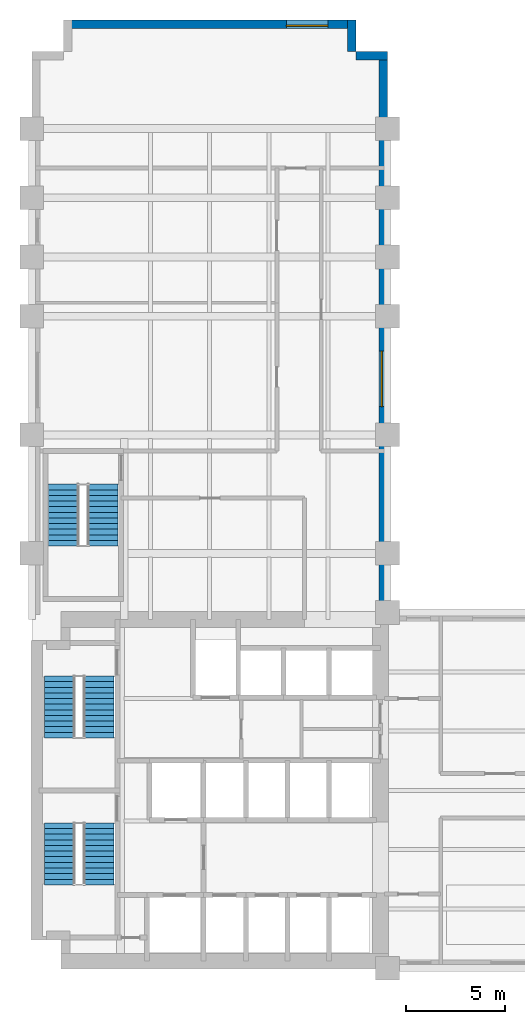
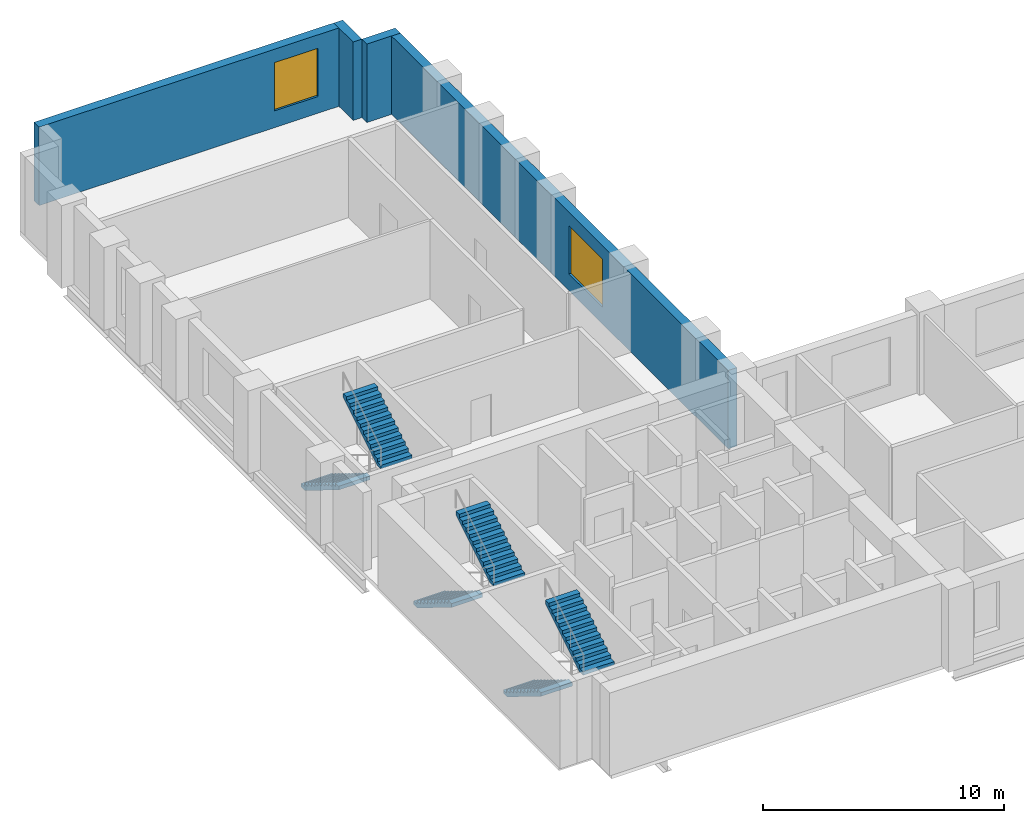
# One storey, part 6 of 7: 6 stair flights, 4 walls, 2 windows, 2 openings, 3 elements without a shape of their own.
"""IFC4 building model written with IfcOpenShell, lengths in metres."""

import ifcopenshell
import ifcopenshell.guid

model = None  # the IFC model being written
_history = None  # IfcOwnerHistory: only IFC2X3 demands one
_inside = {}  # id of a spatial element -> (the spatial element, [elements in it])
_under = {}  # id of a project, library or spatial element -> (it, [spatial elements below it])
_declared = {}  # id of a project -> (the project, [libraries it declares])
_typed = {}  # id of a type object -> (the type object, [elements of that type])
_made_of = {}  # id of a material, layer set ... -> (it, [elements and type objects made of it])


def new_model(schema):
    """Start an empty IFC model of exactly this schema.

    Asked for "IFC4X3", IfcOpenShell would pick the latest addendum, in which some entities
    have other attributes; the version numbers below select the first issue.
    IFC2X3 requires an IfcOwnerHistory on every rooted entity: one is made here for all.
    """
    global model, _history
    if schema == "IFC4X3":
        model = ifcopenshell.file(schema_version=(4, 3, 0, 0))
    else:
        model = ifcopenshell.file(schema=schema)
    _inside.clear()
    _under.clear()
    _declared.clear()
    _typed.clear()
    _made_of.clear()
    _history = None
    if model.schema == "IFC2X3":
        org = make("IfcOrganization", Name="unknown")
        user = make(
            "IfcPersonAndOrganization",
            ThePerson=make("IfcPerson", FamilyName="unknown"),
            TheOrganization=org,
        )
        app = make(
            "IfcApplication",
            ApplicationDeveloper=org,
            Version="unknown",
            ApplicationFullName="unknown",
            ApplicationIdentifier="unknown",
        )
        _history = make(
            "IfcOwnerHistory",
            OwningUser=user,
            OwningApplication=app,
            ChangeAction="ADDED",
            CreationDate=0,
        )
    return model


def make(cls, **values):
    """One entity of the class cls with the attributes given. An attribute that is None is left unset."""
    return model.create_entity(
        cls, **{name: value for name, value in values.items() if value is not None}
    )


def rooted(cls, **values):
    """An entity with a GlobalId (a new one), such as an element, a storey or a relation."""
    return make(cls, GlobalId=ifcopenshell.guid.new(), OwnerHistory=_history, **values)


def si_unit(unit_type, name, prefix=None):
    """IfcSIUnit, for example si_unit("LENGTHUNIT", "METRE", prefix="MILLI")."""
    return make("IfcSIUnit", UnitType=unit_type, Prefix=prefix, Name=name)


def assignment(units):
    """IfcUnitAssignment: the units of a project."""
    return None if units is None else make("IfcUnitAssignment", Units=units)


def point(xyz):
    """IfcCartesianPoint."""
    return None if xyz is None else make("IfcCartesianPoint", Coordinates=xyz)


def direction(xyz):
    """IfcDirection."""
    return None if xyz is None else make("IfcDirection", DirectionRatios=xyz)


def frame(location, z_axis=None, x_axis=None):
    """IfcAxis2Placement3D, a coordinate frame: its origin and axes. An axis left out is left unset."""
    return make(
        "IfcAxis2Placement3D",
        Location=point(location),
        Axis=direction(z_axis),
        RefDirection=direction(x_axis),
    )


def frame_2d(location, x_axis=None):
    """IfcAxis2Placement2D, a coordinate frame in the plane: its origin and x axis."""
    return make(
        "IfcAxis2Placement2D", Location=point(location), RefDirection=direction(x_axis)
    )


def origin():
    """The frame at (0, 0, 0) with its axes left unset."""
    return frame((0.0, 0.0, 0.0))


def place(relative_to, where):
    """IfcLocalPlacement: puts the frame where relative to a parent placement (None: the world)."""
    return make(
        "IfcLocalPlacement", PlacementRelTo=relative_to, RelativePlacement=where
    )


def context(
    kind, dimensions, precision=None, world=None, true_north=None, identifier=None
):
    """IfcGeometricRepresentationContext, for example the 3D "Model" context."""
    return make(
        "IfcGeometricRepresentationContext",
        ContextIdentifier=identifier,
        ContextType=kind,
        CoordinateSpaceDimension=dimensions,
        Precision=precision,
        WorldCoordinateSystem=world,
        TrueNorth=true_north,
    )


def subcontext(parent, identifier, kind, view, scale=None):
    """IfcGeometricRepresentationSubContext, for example "Body" below "Model"."""
    return make(
        "IfcGeometricRepresentationSubContext",
        ContextIdentifier=identifier,
        ContextType=kind,
        ParentContext=parent,
        TargetScale=scale,
        TargetView=view,
    )


def project(units=None, contexts=None):
    """IfcProject with its units and contexts."""
    return rooted(
        "IfcProject",
        Name="project",
        RepresentationContexts=contexts,
        UnitsInContext=assignment(units),
    )


def spatial(cls, under=None, at=None, **own):
    """A site, building, storey or space (cls), placed at a placement, below another one or the project."""
    s = rooted(cls, ObjectPlacement=at, **own)
    if under is not None:
        _under.setdefault(under.id(), (under, []))[1].append(s)
    return s


def polyline(points):
    """IfcPolyline through the points."""
    return make("IfcPolyline", Points=[point(p) for p in points])


def profile(cls, at=None, kind="AREA", **sizes):
    """A parametric profile (cls). Its sizes go by their IFC names, for example OverallWidth=200.0."""
    return make(cls, ProfileType=kind, Position=at, **sizes)


def rectangle(**sizes):
    """IfcRectangleProfileDef."""
    return profile("IfcRectangleProfileDef", **sizes)


def outline(outer, holes=None, kind="AREA"):
    """IfcArbitraryClosedProfileDef: a profile drawn as a closed curve; with holes, ...WithVoids."""
    if holes is None:
        return make("IfcArbitraryClosedProfileDef", ProfileType=kind, OuterCurve=outer)
    return make(
        "IfcArbitraryProfileDefWithVoids",
        ProfileType=kind,
        OuterCurve=outer,
        InnerCurves=holes,
    )


def extrude(swept, where, along, depth):
    """IfcExtrudedAreaSolid: the profile swept, set in the frame where, extruded along a direction by depth."""
    return make(
        "IfcExtrudedAreaSolid",
        SweptArea=swept,
        Position=where,
        ExtrudedDirection=direction(along),
        Depth=depth,
    )


def shape(context_of_items, identifier, shape_type, items):
    """IfcShapeRepresentation: the items that make up one representation, for example the "Body"."""
    return make(
        "IfcShapeRepresentation",
        ContextOfItems=context_of_items,
        RepresentationIdentifier=identifier,
        RepresentationType=shape_type,
        Items=items,
    )


def material(Name=None, Category=None):
    """IfcMaterial."""
    return make("IfcMaterial", Name=Name, Category=Category)


def layer(
    of_material, thickness, ventilated=None, Name=None, Category=None, Priority=None
):
    """IfcMaterialLayer: one layer of a wall or slab, of a material (None: an air gap)."""
    return make(
        "IfcMaterialLayer",
        Material=of_material,
        LayerThickness=thickness,
        IsVentilated=ventilated,
        Name=Name,
        Category=Category,
        Priority=Priority,
    )


def layer_set(layers, Name=None):
    """IfcMaterialLayerSet."""
    return make("IfcMaterialLayerSet", MaterialLayers=layers, LayerSetName=Name)


def made_of(thing, what):
    """Note that an element or type object is made of a material, layer set ...; save() writes the relation."""
    if what is not None:
        _made_of.setdefault(what.id(), (what, []))[1].append(thing)
    return thing


def type_object(cls, material=None, **own):
    """A type object (cls), such as IfcWallType, which elements share."""
    return made_of(rooted(cls, **own), material)


def element(
    cls,
    number,
    at=None,
    inside=None,
    cuts=None,
    type_object=None,
    material=None,
    context=None,
    identifier="Body",
    shape_type=None,
    held_by="IfcProductDefinitionShape",
    body=None,
    shapes=None,
    **own,
):
    """One element of the class cls, such as IfcWall. Its Tag is "e" and its number.

    at: its placement. inside: the storey or other place that contains it. cuts: it is an
    opening in that element (IfcRelVoidsElement). A single representation is given by context,
    identifier, shape_type and body (its items); several are given by shapes. held_by: the class
    of the entity that holds the representations. save() writes the other relations.
    """
    e = rooted(cls, Tag="e%d" % number, ObjectPlacement=at, **own)
    if body is not None:
        shapes = [shape(context, identifier, shape_type, body)]
    if shapes is not None:
        e.Representation = make(held_by, Representations=shapes)
    if inside is not None:
        _inside.setdefault(inside.id(), (inside, []))[1].append(e)
    if cuts is not None:
        rooted(
            "IfcRelVoidsElement", RelatingBuildingElement=cuts, RelatedOpeningElement=e
        )
    if type_object is not None:
        _typed.setdefault(type_object.id(), (type_object, []))[1].append(e)
    return made_of(e, material)


def fill(opening, filler):
    """IfcRelFillsElement: the door or window that sits in an opening."""
    return rooted(
        "IfcRelFillsElement",
        RelatingOpeningElement=opening,
        RelatedBuildingElement=filler,
    )


def aggregate(whole, parts):
    """IfcRelAggregates: a whole, such as a stair, and the parts it consists of."""
    return rooted("IfcRelAggregates", RelatingObject=whole, RelatedObjects=parts)


def save(model, path):
    """Write the relations noted so far, then the file.

    IfcRelAggregates (storeys below a building ...), IfcRelContainedInSpatialStructure (elements
    in a storey), IfcRelDefinesByType, IfcRelAssociatesMaterial and IfcRelDeclares: one each for
    every whole, place, type object, material and project.
    """
    for whole, parts in _under.values():
        aggregate(whole, parts)
    for where, things in _inside.values():
        rooted(
            "IfcRelContainedInSpatialStructure",
            RelatedElements=things,
            RelatingStructure=where,
        )
    for kind, things in _typed.values():
        rooted("IfcRelDefinesByType", RelatedObjects=things, RelatingType=kind)
    for what, things in _made_of.values():
        rooted("IfcRelAssociatesMaterial", RelatedObjects=things, RelatingMaterial=what)
    for by, libraries in _declared.values():
        rooted("IfcRelDeclares", RelatingContext=by, RelatedDefinitions=libraries)
    model.write(path)


model = new_model("IFC4")

# Units and contexts
model_context = context("Model", 3, precision=1e-05, world=origin(), true_north=direction((0.0, 1.0)))
body_context = subcontext(model_context, "Body", "Model", "MODEL_VIEW")
ifc_project = project(units=[si_unit("LENGTHUNIT", "METRE"), si_unit("AREAUNIT", "SQUARE_METRE"), si_unit("VOLUMEUNIT", "CUBIC_METRE"), si_unit("PLANEANGLEUNIT", "RADIAN"), si_unit("MASSUNIT", "GRAM", prefix="KILO")], contexts=[model_context])

# Site, building, storey
site_placement = place(None, origin())
site = spatial("IfcSite", under=ifc_project, at=site_placement, CompositionType="ELEMENT")
building_placement = place(site_placement, origin())
building = spatial("IfcBuilding", under=site, at=building_placement, Name="Mawjdan Bourse Tower", CompositionType="ELEMENT")
storey_placement = place(building_placement, frame((0.0, 0.0, 55.199951171875)))
storey = spatial("IfcBuildingStorey", under=building, at=storey_placement, Name="L12", CompositionType="ELEMENT", Elevation=55.199951171875)

# Wall, opening, window
ifc_material_1 = material(Name="Brick Masonry Buff", Category="masonry")
ifc_layer = layer(ifc_material_1, 0.419921875)
ifc_layer_set = layer_set([ifc_layer], Name="Brick Masonry Buff")
wall_type = type_object("IfcWallType", Name="WL-BRK-BUFF-420", PredefinedType="STANDARD", material=ifc_layer_set)
wall_1_placement = place(storey_placement, frame((23.7900390625, 21.0, 0.0), z_axis=(0.0, 0.0, 1.0), x_axis=(0.0, 1.0, 0.0)))
wall_1 = element("IfcWall", 1, at=wall_1_placement, inside=storey, type_object=wall_type, Name="L12 Exterior Brick Wall 8", PredefinedType="STANDARD", context=body_context, shape_type="SweptSolid", body=[
    extrude(rectangle(XDim=28.39990234375, YDim=0.419921875, at=frame_2d((14.199951171875, 0.0))), origin(), (0.0, 0.0, 1.0), 3.97998046875),
])
opening_1_placement = place(wall_1_placement, frame((10.433349609375, 0.0, 0.85009765625)))
opening_1 = element("IfcOpeningElement", 2, at=opening_1_placement, cuts=wall_1, Name="Opening W-L12-04", PredefinedType="OPENING", context=body_context, shape_type="SweptSolid", body=[
    extrude(rectangle(XDim=2.800048828125, YDim=2.449951171875, at=frame_2d((1.39990234375, 1.22509765625))), frame((0.0, 0.219970703125, 0.0), z_axis=(0.0, -1.0, 0.0), x_axis=(1.0, 0.0, 0.0)), (0.0, 0.0, 1.0), 0.43994140625),
])
ifc_material_2 = material(Name="Solar-Control Clear Double Glazing", Category="glass")
window_type_1 = type_object("IfcWindowType", Name="WN-TRD-2800", PartitioningType="SINGLE_PANEL", PredefinedType="WINDOW", material=ifc_material_2)
window_1_placement = place(opening_1_placement, origin())
window_1 = element("IfcWindow", 3, at=window_1_placement, inside=storey, type_object=window_type_1, Name="L12 Deep-Set Masonry Window W-L12-04", OverallHeight=2.449951171875, OverallWidth=2.800048828125, PartitioningType="SINGLE_PANEL", PredefinedType="WINDOW", context=body_context, shape_type="SweptSolid", body=[
    extrude(rectangle(XDim=2.800048828125, YDim=2.449951171875, at=frame_2d((1.39990234375, 1.22509765625))), frame((0.0, 0.110107421875, 0.0), z_axis=(0.0, -1.0, 0.0), x_axis=(1.0, 0.0, 0.0)), (0.0, 0.0, 1.0), 0.06005859375),
])
fill(opening_1, window_1)

# Walls
for number, where, z_axis, x_axis, name in (
    (4, (24.0, 49.18994140625, 0.0), (0.0, 0.0, 1.0), (-1.0, 0.0, 0.0), "L12 Exterior Brick Wall 9"),
    (5, (22.18994140625, 49.39990234375, 0.0), (0.0, 0.0, 1.0), (0.0, 1.0, 0.0), "L12 Exterior Brick Wall 10"),
):
    element("IfcWall", number, at=place(storey_placement, frame(where, z_axis=z_axis, x_axis=x_axis)), inside=storey, type_object=wall_type, Name=name, PredefinedType="STANDARD", context=body_context, shape_type="SweptSolid", body=[
        extrude(rectangle(XDim=1.60009765625, YDim=0.419921875, at=frame_2d((0.800048828125, 0.0))), origin(), (0.0, 0.0, 1.0), 3.97998046875),
    ])

# Wall, opening, window
wall_2_placement = place(storey_placement, frame((22.39990234375, 50.7900390625, 0.0), z_axis=(0.0, 0.0, 1.0), x_axis=(-1.0, 0.0, 0.0)))
wall_2 = element("IfcWall", 6, at=wall_2_placement, inside=storey, type_object=wall_type, Name="L12 Exterior Brick Wall 11", PredefinedType="STANDARD", context=body_context, shape_type="SweptSolid", body=[
    extrude(rectangle(XDim=14.7998046875, YDim=0.419921875, at=frame_2d((7.39990234375, 0.0))), origin(), (0.0, 0.0, 1.0), 3.97998046875),
])
opening_2_placement = place(wall_2_placement, frame((1.416748046875, 0.0, 0.85009765625)))
opening_2 = element("IfcOpeningElement", 7, at=opening_2_placement, cuts=wall_2, Name="Opening W-L12-05", PredefinedType="OPENING", context=body_context, shape_type="SweptSolid", body=[
    extrude(rectangle(XDim=2.10009765625, YDim=2.449951171875, at=frame_2d((1.050048828125, 1.22509765625))), frame((0.0, 0.219970703125, 0.0), z_axis=(0.0, -1.0, 0.0), x_axis=(1.0, 0.0, 0.0)), (0.0, 0.0, 1.0), 0.43994140625),
])
window_type_2 = type_object("IfcWindowType", Name="WN-TRD-2100", PartitioningType="SINGLE_PANEL", PredefinedType="WINDOW", material=ifc_material_2)
window_2_placement = place(opening_2_placement, origin())
window_2 = element("IfcWindow", 8, at=window_2_placement, inside=storey, type_object=window_type_2, Name="L12 Deep-Set Masonry Window W-L12-05", OverallHeight=2.449951171875, OverallWidth=2.10009765625, PartitioningType="SINGLE_PANEL", PredefinedType="WINDOW", context=body_context, shape_type="SweptSolid", body=[
    extrude(rectangle(XDim=2.10009765625, YDim=2.449951171875, at=frame_2d((1.050048828125, 1.22509765625))), frame((0.0, 0.110107421875, 0.0), z_axis=(0.0, -1.0, 0.0), x_axis=(1.0, 0.0, 0.0)), (0.0, 0.0, 1.0), 0.06005859375),
])
fill(opening_2, window_2)

# Stair, stair flights
ifc_material_3 = material(Name="Concrete C50/60", Category="concrete")
stair_type = type_object("IfcStairType", Name="STR-CORE-1500", PredefinedType="HALF_TURN_STAIR", material=ifc_material_3)
stair_1_placement = place(storey_placement, origin())
stair_1 = element("IfcStair", 9, at=stair_1_placement, inside=storey, type_object=stair_type, Name="L12 Exit Stair 1 (Core South-West)", PredefinedType="HALF_TURN_STAIR")
stair_flight_type = type_object("IfcStairFlightType", Name="SFL-RC-1500", PredefinedType="STRAIGHT", material=ifc_material_3)
stair_flight_1_placement = place(storey_placement, frame((7.389892578125, 10.35009765625, 0.0), z_axis=(0.0, 0.0, 1.0), x_axis=(0.0, -1.0, 0.0)))
stair_flight_1 = element("IfcStairFlight", 10, at=stair_flight_1_placement, type_object=stair_flight_type, Name="ST1-L12 flight 1", NumberOfRisers=12, NumberOfTreads=11, PredefinedType="STRAIGHT", RiserHeight=0.175, TreadLength=0.285, context=body_context, shape_type="SweptSolid", body=[
    extrude(outline(polyline([(0.0, 0.0), (0.0, 0.175048828125), (0.284912109375, 0.175048828125), (0.284912109375, 0.35009765625), (0.570068359375, 0.35009765625), (0.570068359375, 0.52490234375), (0.85498046875, 0.52490234375), (0.85498046875, 0.699951171875), (1.139892578125, 0.699951171875), (1.139892578125, 0.875), (1.425048828125, 0.875), (1.425048828125, 1.050048828125), (1.7099609375, 1.050048828125), (1.7099609375, 1.22509765625), (1.9951171875, 1.22509765625), (1.9951171875, 1.39990234375), (2.280029296875, 1.39990234375), (2.280029296875, 1.574951171875), (2.56494140625, 1.574951171875), (2.56494140625, 1.75), (2.85009765625, 1.75), (2.85009765625, 1.925048828125), (3.135009765625, 1.925048828125), (3.135009765625, 2.10009765625), (3.135009765625, 1.7373046875), (0.3056640625, 0.0), (0.0, 0.0)])), frame((0.0, 0.75, 0.0), z_axis=(0.0, -1.0, 0.0), x_axis=(1.0, 0.0, 0.0)), (0.0, 0.0, 1.0), 1.5),
])
stair_flight_2_placement = place(storey_placement, frame((9.409912109375, 7.215087890625, 2.10009765625), z_axis=(0.0, 0.0, 1.0), x_axis=(0.0, 1.0, 0.0)))
stair_flight_2 = element("IfcStairFlight", 11, at=stair_flight_2_placement, type_object=stair_flight_type, Name="ST1-L12 flight 2", NumberOfRisers=12, NumberOfTreads=11, PredefinedType="STRAIGHT", RiserHeight=0.175, TreadLength=0.285, context=body_context, shape_type="SweptSolid", body=[
    extrude(outline(polyline([(0.0, 0.0), (0.0, 0.175048828125), (0.284912109375, 0.175048828125), (0.284912109375, 0.35009765625), (0.570068359375, 0.35009765625), (0.570068359375, 0.52490234375), (0.85498046875, 0.52490234375), (0.85498046875, 0.699951171875), (1.139892578125, 0.699951171875), (1.139892578125, 0.875), (1.425048828125, 0.875), (1.425048828125, 1.050048828125), (1.7099609375, 1.050048828125), (1.7099609375, 1.22509765625), (1.9951171875, 1.22509765625), (1.9951171875, 1.39990234375), (2.280029296875, 1.39990234375), (2.280029296875, 1.574951171875), (2.56494140625, 1.574951171875), (2.56494140625, 1.75), (2.85009765625, 1.75), (2.85009765625, 1.925048828125), (3.135009765625, 1.925048828125), (3.135009765625, 2.10009765625), (3.135009765625, 1.7373046875), (0.3056640625, 0.0), (0.0, 0.0)])), frame((0.0, 0.75, 0.0), z_axis=(0.0, -1.0, 0.0), x_axis=(1.0, 0.0, 0.0)), (0.0, 0.0, 1.0), 1.5),
])
aggregate(stair_1, [stair_flight_1, stair_flight_2])

stair_2_placement = place(storey_placement, origin())
stair_2 = element("IfcStair", 12, at=stair_2_placement, inside=storey, type_object=stair_type, Name="L12 Exit Stair 2 (Core North-West)", PredefinedType="HALF_TURN_STAIR")
stair_flight_3_placement = place(storey_placement, frame((7.389892578125, 17.7900390625, 0.0), z_axis=(0.0, 0.0, 1.0), x_axis=(0.0, -1.0, 0.0)))
stair_flight_3 = element("IfcStairFlight", 13, at=stair_flight_3_placement, type_object=stair_flight_type, Name="ST2-L12 flight 1", NumberOfRisers=12, NumberOfTreads=11, PredefinedType="STRAIGHT", RiserHeight=0.175, TreadLength=0.285, context=body_context, shape_type="SweptSolid", body=[
    extrude(outline(polyline([(0.0, 0.0), (0.0, 0.175048828125), (0.284912109375, 0.175048828125), (0.284912109375, 0.35009765625), (0.570068359375, 0.35009765625), (0.570068359375, 0.52490234375), (0.85498046875, 0.52490234375), (0.85498046875, 0.699951171875), (1.139892578125, 0.699951171875), (1.139892578125, 0.875), (1.425048828125, 0.875), (1.425048828125, 1.050048828125), (1.7099609375, 1.050048828125), (1.7099609375, 1.22509765625), (1.9951171875, 1.22509765625), (1.9951171875, 1.39990234375), (2.280029296875, 1.39990234375), (2.280029296875, 1.574951171875), (2.56494140625, 1.574951171875), (2.56494140625, 1.75), (2.85009765625, 1.75), (2.85009765625, 1.925048828125), (3.135009765625, 1.925048828125), (3.135009765625, 2.10009765625), (3.135009765625, 1.7373046875), (0.3056640625, 0.0), (0.0, 0.0)])), frame((0.0, 0.75, 0.0), z_axis=(0.0, -1.0, 0.0), x_axis=(1.0, 0.0, 0.0)), (0.0, 0.0, 1.0), 1.5),
])
stair_flight_4_placement = place(storey_placement, frame((9.409912109375, 14.655029296875, 2.10009765625), z_axis=(0.0, 0.0, 1.0), x_axis=(0.0, 1.0, 0.0)))
stair_flight_4 = element("IfcStairFlight", 14, at=stair_flight_4_placement, type_object=stair_flight_type, Name="ST2-L12 flight 2", NumberOfRisers=12, NumberOfTreads=11, PredefinedType="STRAIGHT", RiserHeight=0.175, TreadLength=0.285, context=body_context, shape_type="SweptSolid", body=[
    extrude(outline(polyline([(0.0, 0.0), (0.0, 0.175048828125), (0.284912109375, 0.175048828125), (0.284912109375, 0.35009765625), (0.570068359375, 0.35009765625), (0.570068359375, 0.52490234375), (0.85498046875, 0.52490234375), (0.85498046875, 0.699951171875), (1.139892578125, 0.699951171875), (1.139892578125, 0.875), (1.425048828125, 0.875), (1.425048828125, 1.050048828125), (1.7099609375, 1.050048828125), (1.7099609375, 1.22509765625), (1.9951171875, 1.22509765625), (1.9951171875, 1.39990234375), (2.280029296875, 1.39990234375), (2.280029296875, 1.574951171875), (2.56494140625, 1.574951171875), (2.56494140625, 1.75), (2.85009765625, 1.75), (2.85009765625, 1.925048828125), (3.135009765625, 1.925048828125), (3.135009765625, 2.10009765625), (3.135009765625, 1.7373046875), (0.3056640625, 0.0), (0.0, 0.0)])), frame((0.0, 0.75, 0.0), z_axis=(0.0, -1.0, 0.0), x_axis=(1.0, 0.0, 0.0)), (0.0, 0.0, 1.0), 1.5),
])
aggregate(stair_2, [stair_flight_3, stair_flight_4])

stair_3_placement = place(storey_placement, origin())
stair_3 = element("IfcStair", 15, at=stair_3_placement, inside=storey, type_object=stair_type, Name="L12 Exit Stair 3 (North Wing)", PredefinedType="HALF_TURN_STAIR")
stair_flight_5_placement = place(storey_placement, frame((7.590087890625, 27.5, 0.0), z_axis=(0.0, 0.0, 1.0), x_axis=(0.0, -1.0, 0.0)))
stair_flight_5 = element("IfcStairFlight", 16, at=stair_flight_5_placement, type_object=stair_flight_type, Name="ST3-L12 flight 1", NumberOfRisers=12, NumberOfTreads=11, PredefinedType="STRAIGHT", RiserHeight=0.175, TreadLength=0.285, context=body_context, shape_type="SweptSolid", body=[
    extrude(outline(polyline([(0.0, 0.0), (0.0, 0.175048828125), (0.284912109375, 0.175048828125), (0.284912109375, 0.35009765625), (0.570068359375, 0.35009765625), (0.570068359375, 0.52490234375), (0.85498046875, 0.52490234375), (0.85498046875, 0.699951171875), (1.139892578125, 0.699951171875), (1.139892578125, 0.875), (1.425048828125, 0.875), (1.425048828125, 1.050048828125), (1.7099609375, 1.050048828125), (1.7099609375, 1.22509765625), (1.9951171875, 1.22509765625), (1.9951171875, 1.39990234375), (2.280029296875, 1.39990234375), (2.280029296875, 1.574951171875), (2.56494140625, 1.574951171875), (2.56494140625, 1.75), (2.85009765625, 1.75), (2.85009765625, 1.925048828125), (3.135009765625, 1.925048828125), (3.135009765625, 2.10009765625), (3.135009765625, 1.7373046875), (0.3056640625, 0.0), (0.0, 0.0)])), frame((0.0, 0.75, 0.0), z_axis=(0.0, -1.0, 0.0), x_axis=(1.0, 0.0, 0.0)), (0.0, 0.0, 1.0), 1.5),
])
stair_flight_6_placement = place(storey_placement, frame((9.610107421875, 24.364990234375, 2.10009765625), z_axis=(0.0, 0.0, 1.0), x_axis=(0.0, 1.0, 0.0)))
stair_flight_6 = element("IfcStairFlight", 17, at=stair_flight_6_placement, type_object=stair_flight_type, Name="ST3-L12 flight 2", NumberOfRisers=12, NumberOfTreads=11, PredefinedType="STRAIGHT", RiserHeight=0.175, TreadLength=0.285, context=body_context, shape_type="SweptSolid", body=[
    extrude(outline(polyline([(0.0, 0.0), (0.0, 0.175048828125), (0.284912109375, 0.175048828125), (0.284912109375, 0.35009765625), (0.570068359375, 0.35009765625), (0.570068359375, 0.52490234375), (0.85498046875, 0.52490234375), (0.85498046875, 0.699951171875), (1.139892578125, 0.699951171875), (1.139892578125, 0.875), (1.425048828125, 0.875), (1.425048828125, 1.050048828125), (1.7099609375, 1.050048828125), (1.7099609375, 1.22509765625), (1.9951171875, 1.22509765625), (1.9951171875, 1.39990234375), (2.280029296875, 1.39990234375), (2.280029296875, 1.574951171875), (2.56494140625, 1.574951171875), (2.56494140625, 1.75), (2.85009765625, 1.75), (2.85009765625, 1.925048828125), (3.135009765625, 1.925048828125), (3.135009765625, 2.10009765625), (3.135009765625, 1.7373046875), (0.3056640625, 0.0), (0.0, 0.0)])), frame((0.0, 0.75, 0.0), z_axis=(0.0, -1.0, 0.0), x_axis=(1.0, 0.0, 0.0)), (0.0, 0.0, 1.0), 1.5),
])
aggregate(stair_3, [stair_flight_5, stair_flight_6])

save(model, "model.ifc")
